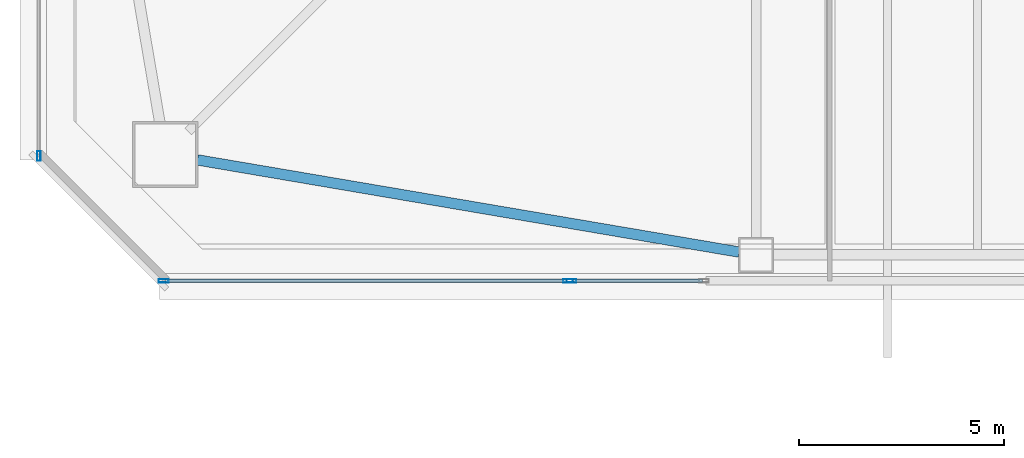
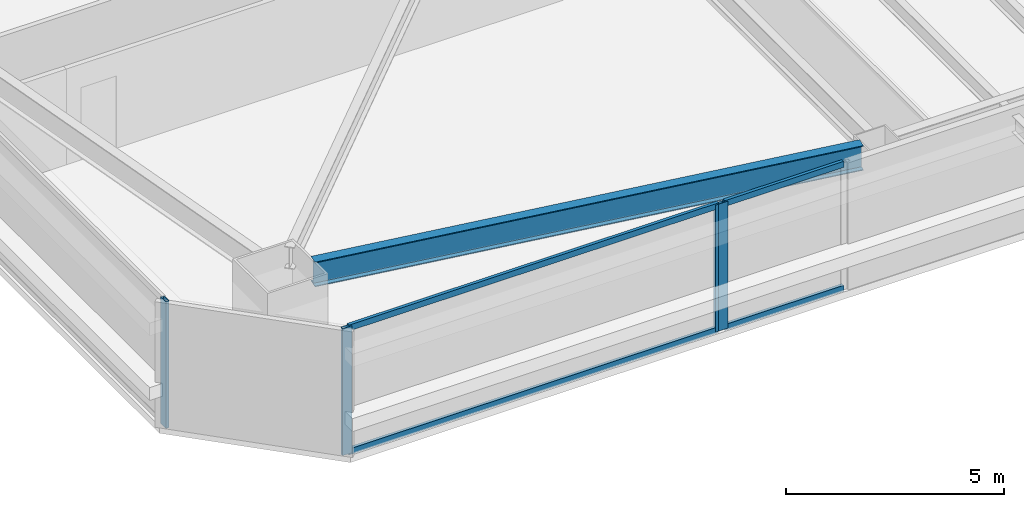
# One storey, part 3 of 46: 8 members, 1 beam, 3 elements without a shape of their own.
"""IFC4 building model written with IfcOpenShell, lengths in metres."""

import ifcopenshell
import ifcopenshell.guid

model = None  # the IFC model being written
_history = None  # IfcOwnerHistory: only IFC2X3 demands one
_inside = {}  # id of a spatial element -> (the spatial element, [elements in it])
_under = {}  # id of a project, library or spatial element -> (it, [spatial elements below it])
_declared = {}  # id of a project -> (the project, [libraries it declares])
_typed = {}  # id of a type object -> (the type object, [elements of that type])
_made_of = {}  # id of a material, layer set ... -> (it, [elements and type objects made of it])


def new_model(schema):
    """Start an empty IFC model of exactly this schema.

    Asked for "IFC4X3", IfcOpenShell would pick the latest addendum, in which some entities
    have other attributes; the version numbers below select the first issue.
    IFC2X3 requires an IfcOwnerHistory on every rooted entity: one is made here for all.
    """
    global model, _history
    if schema == "IFC4X3":
        model = ifcopenshell.file(schema_version=(4, 3, 0, 0))
    else:
        model = ifcopenshell.file(schema=schema)
    _inside.clear()
    _under.clear()
    _declared.clear()
    _typed.clear()
    _made_of.clear()
    _history = None
    if model.schema == "IFC2X3":
        org = make("IfcOrganization", Name="unknown")
        user = make(
            "IfcPersonAndOrganization",
            ThePerson=make("IfcPerson", FamilyName="unknown"),
            TheOrganization=org,
        )
        app = make(
            "IfcApplication",
            ApplicationDeveloper=org,
            Version="unknown",
            ApplicationFullName="unknown",
            ApplicationIdentifier="unknown",
        )
        _history = make(
            "IfcOwnerHistory",
            OwningUser=user,
            OwningApplication=app,
            ChangeAction="ADDED",
            CreationDate=0,
        )
    return model


def make(cls, **values):
    """One entity of the class cls with the attributes given. An attribute that is None is left unset."""
    return model.create_entity(
        cls, **{name: value for name, value in values.items() if value is not None}
    )


def rooted(cls, **values):
    """An entity with a GlobalId (a new one), such as an element, a storey or a relation."""
    return make(cls, GlobalId=ifcopenshell.guid.new(), OwnerHistory=_history, **values)


def si_unit(unit_type, name, prefix=None):
    """IfcSIUnit, for example si_unit("LENGTHUNIT", "METRE", prefix="MILLI")."""
    return make("IfcSIUnit", UnitType=unit_type, Prefix=prefix, Name=name)


def assignment(units):
    """IfcUnitAssignment: the units of a project."""
    return None if units is None else make("IfcUnitAssignment", Units=units)


def point(xyz):
    """IfcCartesianPoint."""
    return None if xyz is None else make("IfcCartesianPoint", Coordinates=xyz)


def direction(xyz):
    """IfcDirection."""
    return None if xyz is None else make("IfcDirection", DirectionRatios=xyz)


def frame(location, z_axis=None, x_axis=None):
    """IfcAxis2Placement3D, a coordinate frame: its origin and axes. An axis left out is left unset."""
    return make(
        "IfcAxis2Placement3D",
        Location=point(location),
        Axis=direction(z_axis),
        RefDirection=direction(x_axis),
    )


def frame_2d(location, x_axis=None):
    """IfcAxis2Placement2D, a coordinate frame in the plane: its origin and x axis."""
    return make(
        "IfcAxis2Placement2D", Location=point(location), RefDirection=direction(x_axis)
    )


def origin():
    """The frame at (0, 0, 0) with its axes left unset."""
    return frame((0.0, 0.0, 0.0))


def origin_2d():
    """The frame at (0, 0) in the plane with its x axis left unset."""
    return frame_2d((0.0, 0.0))


def place(relative_to, where):
    """IfcLocalPlacement: puts the frame where relative to a parent placement (None: the world)."""
    return make(
        "IfcLocalPlacement", PlacementRelTo=relative_to, RelativePlacement=where
    )


def context(
    kind, dimensions, precision=None, world=None, true_north=None, identifier=None
):
    """IfcGeometricRepresentationContext, for example the 3D "Model" context."""
    return make(
        "IfcGeometricRepresentationContext",
        ContextIdentifier=identifier,
        ContextType=kind,
        CoordinateSpaceDimension=dimensions,
        Precision=precision,
        WorldCoordinateSystem=world,
        TrueNorth=true_north,
    )


def subcontext(parent, identifier, kind, view, scale=None):
    """IfcGeometricRepresentationSubContext, for example "Body" below "Model"."""
    return make(
        "IfcGeometricRepresentationSubContext",
        ContextIdentifier=identifier,
        ContextType=kind,
        ParentContext=parent,
        TargetScale=scale,
        TargetView=view,
    )


def project(units=None, contexts=None):
    """IfcProject with its units and contexts."""
    return rooted(
        "IfcProject",
        Name="project",
        RepresentationContexts=contexts,
        UnitsInContext=assignment(units),
    )


def spatial(cls, under=None, at=None, **own):
    """A site, building, storey or space (cls), placed at a placement, below another one or the project."""
    s = rooted(cls, ObjectPlacement=at, **own)
    if under is not None:
        _under.setdefault(under.id(), (under, []))[1].append(s)
    return s


def profile(cls, at=None, kind="AREA", **sizes):
    """A parametric profile (cls). Its sizes go by their IFC names, for example OverallWidth=200.0."""
    return make(cls, ProfileType=kind, Position=at, **sizes)


def hollow_rectangle(**sizes):
    """IfcRectangleHollowProfileDef."""
    return profile("IfcRectangleHollowProfileDef", **sizes)


def i_section(**sizes):
    """IfcIShapeProfileDef."""
    return profile("IfcIShapeProfileDef", **sizes)


def extrude(swept, where, along, depth):
    """IfcExtrudedAreaSolid: the profile swept, set in the frame where, extruded along a direction by depth."""
    return make(
        "IfcExtrudedAreaSolid",
        SweptArea=swept,
        Position=where,
        ExtrudedDirection=direction(along),
        Depth=depth,
    )


def shape(context_of_items, identifier, shape_type, items):
    """IfcShapeRepresentation: the items that make up one representation, for example the "Body"."""
    return make(
        "IfcShapeRepresentation",
        ContextOfItems=context_of_items,
        RepresentationIdentifier=identifier,
        RepresentationType=shape_type,
        Items=items,
    )


def material(Name=None, Category=None):
    """IfcMaterial."""
    return make("IfcMaterial", Name=Name, Category=Category)


def material_profile(
    of_material, cross_section, Name=None, Category=None, Priority=None
):
    """IfcMaterialProfile: a cross section and its material."""
    return make(
        "IfcMaterialProfile",
        Name=Name,
        Material=of_material,
        Profile=cross_section,
        Priority=Priority,
        Category=Category,
    )


def profile_set(profiles, Name=None, composite=None):
    """IfcMaterialProfileSet."""
    return make(
        "IfcMaterialProfileSet",
        Name=Name,
        MaterialProfiles=profiles,
        CompositeProfile=composite,
    )


def made_of(thing, what):
    """Note that an element or type object is made of a material, layer set ...; save() writes the relation."""
    if what is not None:
        _made_of.setdefault(what.id(), (what, []))[1].append(thing)
    return thing


def type_object(cls, material=None, **own):
    """A type object (cls), such as IfcWallType, which elements share."""
    return made_of(rooted(cls, **own), material)


def element(
    cls,
    number,
    at=None,
    inside=None,
    cuts=None,
    type_object=None,
    material=None,
    context=None,
    identifier="Body",
    shape_type=None,
    held_by="IfcProductDefinitionShape",
    body=None,
    shapes=None,
    **own,
):
    """One element of the class cls, such as IfcWall. Its Tag is "e" and its number.

    at: its placement. inside: the storey or other place that contains it. cuts: it is an
    opening in that element (IfcRelVoidsElement). A single representation is given by context,
    identifier, shape_type and body (its items); several are given by shapes. held_by: the class
    of the entity that holds the representations. save() writes the other relations.
    """
    e = rooted(cls, Tag="e%d" % number, ObjectPlacement=at, **own)
    if body is not None:
        shapes = [shape(context, identifier, shape_type, body)]
    if shapes is not None:
        e.Representation = make(held_by, Representations=shapes)
    if inside is not None:
        _inside.setdefault(inside.id(), (inside, []))[1].append(e)
    if cuts is not None:
        rooted(
            "IfcRelVoidsElement", RelatingBuildingElement=cuts, RelatedOpeningElement=e
        )
    if type_object is not None:
        _typed.setdefault(type_object.id(), (type_object, []))[1].append(e)
    return made_of(e, material)


def aggregate(whole, parts):
    """IfcRelAggregates: a whole, such as a stair, and the parts it consists of."""
    return rooted("IfcRelAggregates", RelatingObject=whole, RelatedObjects=parts)


def save(model, path):
    """Write the relations noted so far, then the file.

    IfcRelAggregates (storeys below a building ...), IfcRelContainedInSpatialStructure (elements
    in a storey), IfcRelDefinesByType, IfcRelAssociatesMaterial and IfcRelDeclares: one each for
    every whole, place, type object, material and project.
    """
    for whole, parts in _under.values():
        aggregate(whole, parts)
    for where, things in _inside.values():
        rooted(
            "IfcRelContainedInSpatialStructure",
            RelatedElements=things,
            RelatingStructure=where,
        )
    for kind, things in _typed.values():
        rooted("IfcRelDefinesByType", RelatedObjects=things, RelatingType=kind)
    for what, things in _made_of.values():
        rooted("IfcRelAssociatesMaterial", RelatedObjects=things, RelatingMaterial=what)
    for by, libraries in _declared.values():
        rooted("IfcRelDeclares", RelatingContext=by, RelatedDefinitions=libraries)
    model.write(path)


model = new_model("IFC4")

# Units and contexts
model_context = context("Model", 3, precision=1e-05, world=origin(), true_north=direction((0.0, 1.0)))
body_context = subcontext(model_context, "Body", "Model", "MODEL_VIEW")
ifc_project = project(units=[si_unit("LENGTHUNIT", "METRE"), si_unit("AREAUNIT", "SQUARE_METRE"), si_unit("VOLUMEUNIT", "CUBIC_METRE"), si_unit("PLANEANGLEUNIT", "RADIAN"), si_unit("MASSUNIT", "GRAM", prefix="KILO")], contexts=[model_context])

# Site, building, storey
site_placement = place(None, origin())
site = spatial("IfcSite", under=ifc_project, at=site_placement, CompositionType="ELEMENT")
building_placement = place(site_placement, origin())
building = spatial("IfcBuilding", under=site, at=building_placement, Name="Tashvorn Skyway Center", CompositionType="ELEMENT")
storey_placement = place(building_placement, frame((0.0, 0.0, 31.699951171875)))
storey = spatial("IfcBuildingStorey", under=building, at=storey_placement, Name="L07", CompositionType="ELEMENT", Elevation=31.699951171875)

# Beam
ifc_material_1 = material(Name="Steel ASTM A992 Grade 50", Category="steel")
ifc_material_profile_1 = material_profile(ifc_material_1, i_section(OverallWidth=0.256103515625, OverallDepth=0.693115234375, WebThickness=0.014404296875, FlangeThickness=0.023681640625, at=origin_2d()), Name="W27X114")
ifc_profile_set_1 = profile_set([ifc_material_profile_1], Name="Steel ASTM A992 Grade 50")
beam_type = type_object("IfcBeamType", Name="BM-SPANDREL-W27X114", PredefinedType="SPANDREL", material=ifc_profile_set_1)
beam_placement = place(storey_placement, frame((22.983642578125, 12.066650390625, 3.003662109375), z_axis=(0.985835025551, -0.16771792509, 0.0), x_axis=(0.16771792509, 0.985835025551, 0.0)))
element("IfcBeam", 1, at=beam_placement, inside=storey, type_object=beam_type, Name="Tower 1 L07 Spandrel Beam 01", PredefinedType="SPANDREL", context=body_context, shape_type="SweptSolid", body=[
    extrude(i_section(OverallWidth=0.256103515625, OverallDepth=0.693115234375, WebThickness=0.014404296875, FlangeThickness=0.023681640625, at=origin_2d()), origin(), (0.0, 0.0, 1.0), 13.39208984375),
])

# Curtain wall, member
ifc_material_2 = material(Name="Thermally broken bronze-anodized aluminium 6063-T6", Category="aluminium")
curtain_wall_type = type_object("IfcCurtainWallType", Name="CW-CW-Z1", PredefinedType="NOTDEFINED", material=ifc_material_2)
curtain_wall_1_placement = place(storey_placement, origin())
curtain_wall_1 = element("IfcCurtainWall", 2, at=curtain_wall_1_placement, inside=storey, type_object=curtain_wall_type, Name="Tower 1 L07 South Unitised Curtain Wall Glazing Group 3", PredefinedType="NOTDEFINED")
ifc_material_profile_2 = material_profile(ifc_material_2, hollow_rectangle(XDim=0.0849609375, YDim=0.239990234375, WallThickness=0.0048828125, at=origin_2d()), Name="ALU-MULL-85x240")
ifc_profile_set_2 = profile_set([ifc_material_profile_2], Name="Thermally broken bronze-anodized aluminium 6063-T6")
member_type_1 = type_object("IfcMemberType", Name="CWM-CW-Z1", PredefinedType="MULLION", material=ifc_profile_set_2)
member_1_placement = place(storey_placement, frame((32.1025390625, 9.1201171875, 0.0), z_axis=(0.0, 0.0, 1.0), x_axis=(0.0, -1.0, 0.0)))
member_1 = element("IfcMember", 3, at=member_1_placement, type_object=member_type_1, Name="CW-Z1 mullion 2", PredefinedType="MULLION", context=body_context, shape_type="SweptSolid", body=[
    extrude(hollow_rectangle(XDim=0.0849609375, YDim=0.239990234375, WallThickness=0.0048828125, at=origin_2d()), origin(), (0.0, 0.0, 1.0), 3.550048828125),
])

# Curtain wall, members
curtain_wall_2_placement = place(storey_placement, origin())
curtain_wall_2 = element("IfcCurtainWall", 4, at=curtain_wall_2_placement, inside=storey, type_object=curtain_wall_type, Name="Tower 1 L07 South Unitised Curtain Wall Glazing Group 4", PredefinedType="NOTDEFINED")
member_2_placement = place(storey_placement, frame((32.017578125, 9.1201171875, 0.0), z_axis=(0.0, 0.0, 1.0), x_axis=(0.0, -1.0, 0.0)))
member_2 = element("IfcMember", 5, at=member_2_placement, type_object=member_type_1, Name="CW-Z1 mullion 1", PredefinedType="MULLION", context=body_context, shape_type="SweptSolid", body=[
    extrude(hollow_rectangle(XDim=0.0849609375, YDim=0.239990234375, WallThickness=0.0048828125, at=origin_2d()), origin(), (0.0, 0.0, 1.0), 3.550048828125),
])
member_3_placement = place(storey_placement, frame((22.16259765625, 9.1201171875, 0.0), z_axis=(0.0, 0.0, 1.0), x_axis=(0.0, -1.0, 0.0)))
member_3 = element("IfcMember", 6, at=member_3_placement, type_object=member_type_1, Name="CW-Z1 mullion 2", PredefinedType="MULLION", context=body_context, shape_type="SweptSolid", body=[
    extrude(hollow_rectangle(XDim=0.0849609375, YDim=0.239990234375, WallThickness=0.0048828125, at=origin_2d()), origin(), (0.0, 0.0, 1.0), 3.550048828125),
])

# Curtain wall, member
curtain_wall_3_placement = place(storey_placement, origin())
curtain_wall_3 = element("IfcCurtainWall", 7, at=curtain_wall_3_placement, inside=storey, type_object=curtain_wall_type, Name="Tower 1 L07 West Unitised Curtain Wall Glazing Group 1", PredefinedType="NOTDEFINED")
member_4_placement = place(storey_placement, frame((19.1201171875, 12.16259765625, 0.0), z_axis=(0.0, 0.0, 1.0), x_axis=(-1.0, 0.0, 0.0)))
member_4 = element("IfcMember", 8, at=member_4_placement, type_object=member_type_1, Name="CW-Z1 mullion 1", PredefinedType="MULLION", context=body_context, shape_type="SweptSolid", body=[
    extrude(hollow_rectangle(XDim=0.0849609375, YDim=0.239990234375, WallThickness=0.0048828125, at=origin_2d()), origin(), (0.0, 0.0, 1.0), 3.550048828125),
])
aggregate(curtain_wall_3, [member_4])

# Member
ifc_material_profile_3 = material_profile(ifc_material_2, hollow_rectangle(XDim=0.0849609375, YDim=0.1650390625, WallThickness=0.0048828125, at=origin_2d()), Name="ALU-TRAN-85x165")
ifc_profile_set_3 = profile_set([ifc_material_profile_3], Name="Thermally broken bronze-anodized aluminium 6063-T6")
member_type_2 = type_object("IfcMemberType", Name="CWT-CW-Z1", PredefinedType="USERDEFINED", material=ifc_profile_set_3)
member_5_placement = place(storey_placement, frame((35.288330078125, 9.1201171875, 0.04248046875), z_axis=(-1.0, 0.0, 0.0), x_axis=(0.0, -1.0, 0.0)))
member_5 = element("IfcMember", 9, at=member_5_placement, type_object=member_type_2, Name="CW-Z1 transom 1.1", ObjectType="TRANSOM", PredefinedType="USERDEFINED", context=body_context, shape_type="SweptSolid", body=[
    extrude(hollow_rectangle(XDim=0.0849609375, YDim=0.1650390625, WallThickness=0.0048828125, at=origin_2d()), origin(), (0.0, 0.0, 1.0), 3.143310546875),
])

member_6_placement = place(storey_placement, frame((35.288330078125, 9.1201171875, 3.507568359375), z_axis=(-1.0, 0.0, 0.0), x_axis=(0.0, -1.0, 0.0)))
member_6 = element("IfcMember", 10, at=member_6_placement, type_object=member_type_2, Name="CW-Z1 transom 1.2", ObjectType="TRANSOM", PredefinedType="USERDEFINED", context=body_context, shape_type="SweptSolid", body=[
    extrude(hollow_rectangle(XDim=0.0849609375, YDim=0.1650390625, WallThickness=0.0048828125, at=origin_2d()), origin(), (0.0, 0.0, 1.0), 3.143310546875),
])

aggregate(curtain_wall_1, [member_1, member_5, member_6])

member_7_placement = place(storey_placement, frame((31.97509765625, 9.1201171875, 0.04248046875), z_axis=(-1.0, 0.0, 0.0), x_axis=(0.0, -1.0, 0.0)))
member_7 = element("IfcMember", 11, at=member_7_placement, type_object=member_type_2, Name="CW-Z1 transom 1.1", ObjectType="TRANSOM", PredefinedType="USERDEFINED", context=body_context, shape_type="SweptSolid", body=[
    extrude(hollow_rectangle(XDim=0.0849609375, YDim=0.1650390625, WallThickness=0.0048828125, at=origin_2d()), origin(), (0.0, 0.0, 1.0), 9.77001953125),
])

member_8_placement = place(storey_placement, frame((31.97509765625, 9.1201171875, 3.507568359375), z_axis=(-1.0, 0.0, 0.0), x_axis=(0.0, -1.0, 0.0)))
member_8 = element("IfcMember", 12, at=member_8_placement, type_object=member_type_2, Name="CW-Z1 transom 1.2", ObjectType="TRANSOM", PredefinedType="USERDEFINED", context=body_context, shape_type="SweptSolid", body=[
    extrude(hollow_rectangle(XDim=0.0849609375, YDim=0.1650390625, WallThickness=0.0048828125, at=origin_2d()), origin(), (0.0, 0.0, 1.0), 9.77001953125),
])

aggregate(curtain_wall_2, [member_2, member_3, member_7, member_8])

save(model, "model.ifc")
